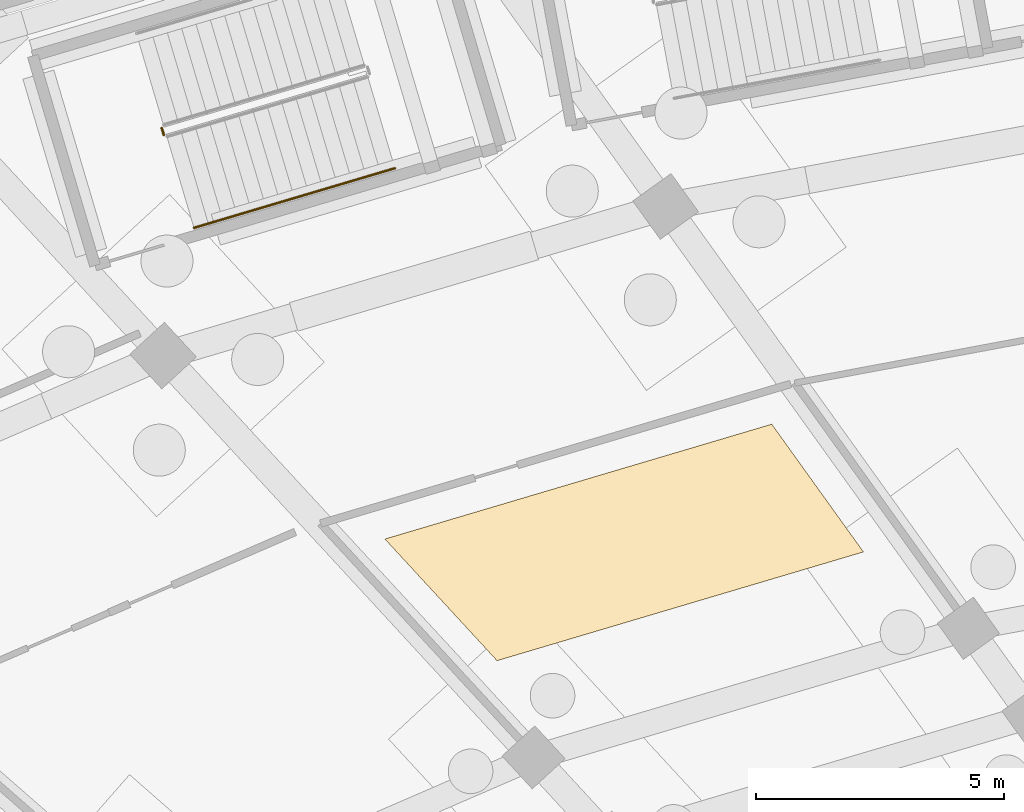
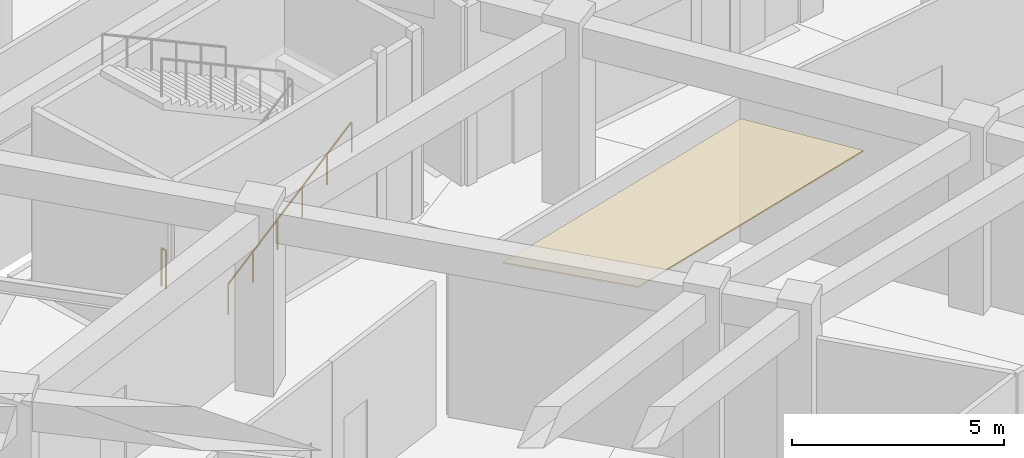
# One storey, part 82 of 88: 2 railings, 1 covering.
"""IFC4 building model written with IfcOpenShell, lengths in metres."""

from ifc_helpers import new_model, si_unit, direction, frame, origin, origin_2d, place, context, subcontext, project, spatial, polyline, circle, outline, extrude, material, layer, layer_set, type_object, element, save


model = new_model("IFC4")

# Units and contexts
model_context = context("Model", 3, precision=1e-05, world=origin(), true_north=direction((0.0, 1.0)))
body_context = subcontext(model_context, "Body", "Model", "MODEL_VIEW")
ifc_project = project(units=[si_unit("LENGTHUNIT", "METRE"), si_unit("AREAUNIT", "SQUARE_METRE"), si_unit("VOLUMEUNIT", "CUBIC_METRE"), si_unit("PLANEANGLEUNIT", "RADIAN"), si_unit("MASSUNIT", "GRAM", prefix="KILO")], contexts=[model_context])

# Site, building, storey
site_placement = place(None, origin())
site = spatial("IfcSite", under=ifc_project, at=site_placement, CompositionType="ELEMENT")
building_placement = place(site_placement, origin())
building = spatial("IfcBuilding", under=site, at=building_placement, Name="Mphavela Belvedere Stadium", CompositionType="ELEMENT")
storey_placement = place(building_placement, origin())
storey = spatial("IfcBuildingStorey", under=building, at=storey_placement, Name="L00", CompositionType="ELEMENT", Elevation=0.0)

# Covering
ifc_material_1 = material(Name="Perforated acoustic mineral ceiling tile")
ifc_layer = layer(ifc_material_1, 0.0400390625)
ifc_layer_set = layer_set([ifc_layer], Name="Perforated acoustic mineral ceiling tile")
covering_type = type_object("IfcCoveringType", Name="COV-CEILING-ACOUSTIC", PredefinedType="CEILING", material=ifc_layer_set)
covering_placement = place(storey_placement, frame((0.0, 0.0, 4.10009765625)))
element("IfcCovering", 1, at=covering_placement, inside=storey, type_object=covering_type, Name="Concourse acoustic ceiling L00-16", PredefinedType="CEILING", context=body_context, shape_type="SweptSolid", body=[
    extrude(outline(polyline([(73.65234375, 143.20751953125), (66.2607421875, 141.013427734375), (63.997802734375, 143.467529296875), (71.802978515625, 145.7841796875), (73.65234375, 143.20751953125)])), origin(), (0.0, 0.0, 1.0), 0.039794921875),
])

# Railings
ifc_material_2 = material(Name="Painted galvanised steel stair guardrail", Category="steel")
railing_type_1 = type_object("IfcRailingType", Name="RAL-GUARD-1120", PredefinedType="GUARDRAIL", material=ifc_material_2)
railing_1_placement = place(storey_placement, frame((59.537841796875, 151.6201171875, 0.0)))
element("IfcRailing", 2, at=railing_1_placement, inside=storey, type_object=railing_type_1, Name="L00 ST-P03 stair guard 4", PredefinedType="GUARDRAIL", context=body_context, shape_type="SweptSolid", body=[
    extrude(circle(Radius=0.02392578125, at=origin_2d()), frame((0.0, 0.0, 1.09619140625), z_axis=(-0.284808608521, 0.958584402394, 0.0), x_axis=(-0.958584402394, -0.284808608521, 0.0)), (0.0, 0.0, 1.0), 0.14990234375),
    extrude(circle(Radius=0.02099609375, at=origin_2d()), origin(), (0.0, 0.0, 1.0), 1.072021484375),
    extrude(circle(Radius=0.02099609375, at=origin_2d()), frame((-0.042724609375, 0.143798828125, 0.0)), (0.0, 0.0, 1.0), 1.072021484375),
])
ifc_material_3 = material(Name="Brushed stainless steel tubular handrail", Category="steel")
railing_type_2 = type_object("IfcRailingType", Name="RAL-HANDRAIL-900", PredefinedType="HANDRAIL", material=ifc_material_3)
railing_2_placement = place(storey_placement, frame((60.146240234375, 149.74560546875, 0.179931640625)))
element("IfcRailing", 3, at=railing_2_placement, inside=storey, type_object=railing_type_2, Name="L00 ST-P03 stair handrail 1", PredefinedType="HANDRAIL", context=body_context, shape_type="SweptSolid", body=[
    extrude(circle(Radius=0.02392578125, at=origin_2d()), frame((0.0, 0.0, 0.8759765625), z_axis=(0.823491828592, 0.244388883235, 0.51199148625), x_axis=(-0.284507077541, 0.958673939788, 0.0)), (0.0, 0.0, 1.0), 4.921875),
    extrude(circle(Radius=0.02099609375, at=origin_2d()), origin(), (0.0, 0.0, 1.0), 0.851806640625),
    extrude(circle(Radius=0.02099609375, at=origin_2d()), frame((0.810546875, 0.240478515625, 0.50390625)), (0.0, 0.0, 1.0), 0.851806640625),
    extrude(circle(Radius=0.02099609375, at=origin_2d()), frame((1.621337890625, 0.481201171875, 1.008056640625)), (0.0, 0.0, 1.0), 0.851806640625),
    extrude(circle(Radius=0.02099609375, at=origin_2d()), frame((2.431884765625, 0.7216796875, 1.511962890625)), (0.0, 0.0, 1.0), 0.851806640625),
    extrude(circle(Radius=0.02099609375, at=origin_2d()), frame((3.24267578125, 0.96240234375, 2.01611328125)), (0.0, 0.0, 1.0), 0.851806640625),
    extrude(circle(Radius=0.02099609375, at=origin_2d()), frame((4.05322265625, 1.202880859375, 2.52001953125)), (0.0, 0.0, 1.0), 0.851806640625),
])

save(model, "model.ifc")
